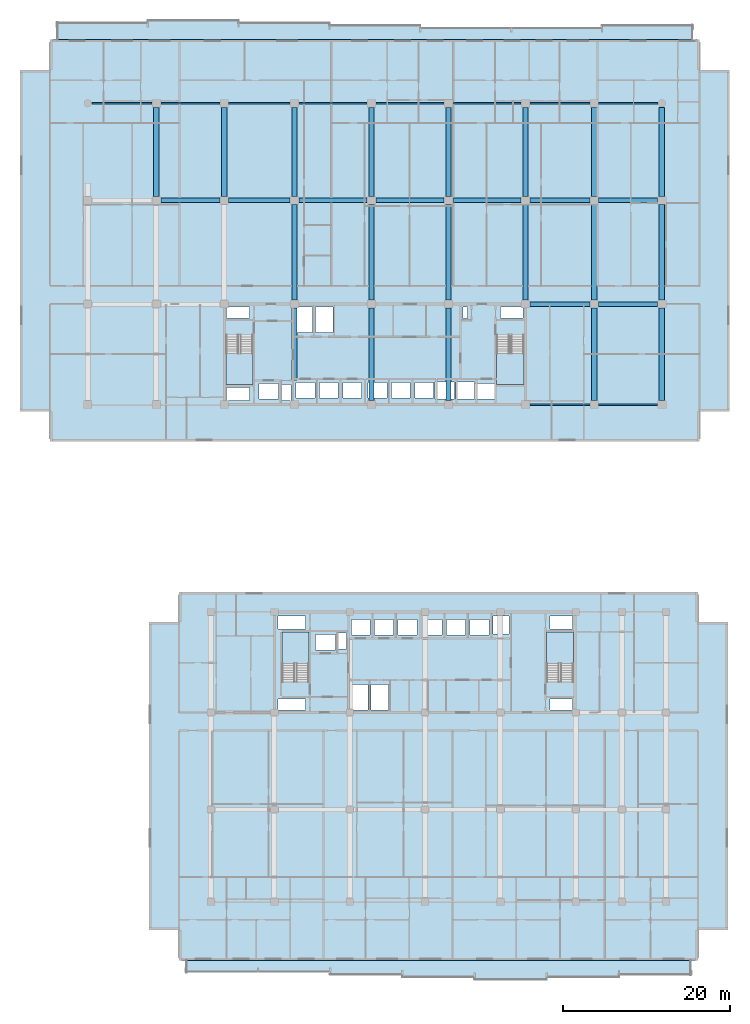
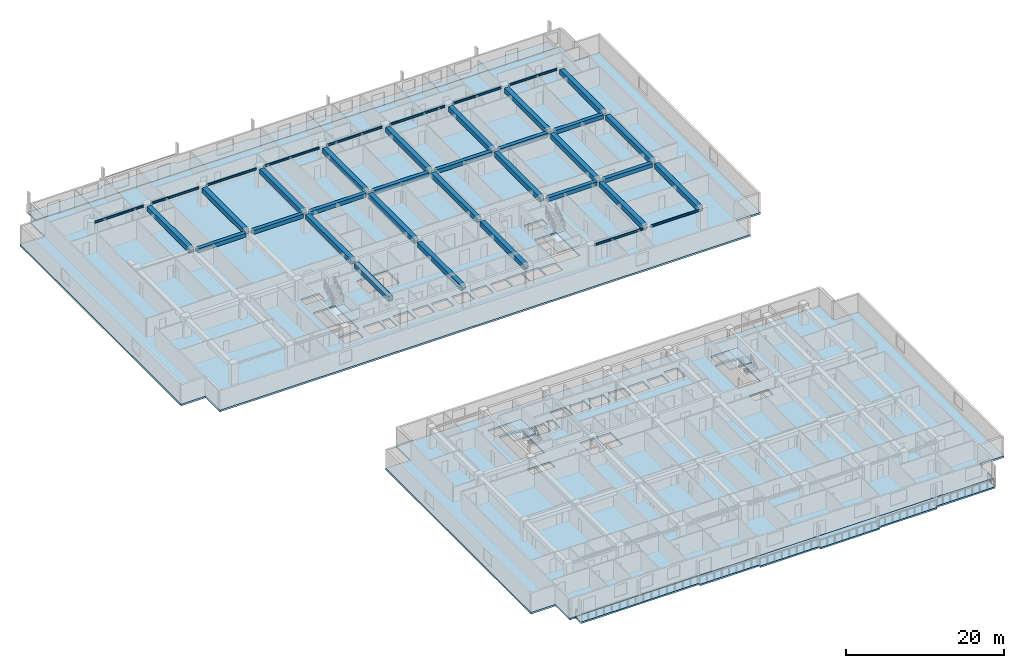
# One storey, part 2 of 23: 38 beams, 8 slabs, 4 elements without a shape of their own.
"""IFC4 building model written with IfcOpenShell, lengths in metres."""

import ifcopenshell
import ifcopenshell.guid

model = None  # the IFC model being written
_history = None  # IfcOwnerHistory: only IFC2X3 demands one
_inside = {}  # id of a spatial element -> (the spatial element, [elements in it])
_under = {}  # id of a project, library or spatial element -> (it, [spatial elements below it])
_declared = {}  # id of a project -> (the project, [libraries it declares])
_typed = {}  # id of a type object -> (the type object, [elements of that type])
_made_of = {}  # id of a material, layer set ... -> (it, [elements and type objects made of it])


def new_model(schema):
    """Start an empty IFC model of exactly this schema.

    Asked for "IFC4X3", IfcOpenShell would pick the latest addendum, in which some entities
    have other attributes; the version numbers below select the first issue.
    IFC2X3 requires an IfcOwnerHistory on every rooted entity: one is made here for all.
    """
    global model, _history
    if schema == "IFC4X3":
        model = ifcopenshell.file(schema_version=(4, 3, 0, 0))
    else:
        model = ifcopenshell.file(schema=schema)
    _inside.clear()
    _under.clear()
    _declared.clear()
    _typed.clear()
    _made_of.clear()
    _history = None
    if model.schema == "IFC2X3":
        org = make("IfcOrganization", Name="unknown")
        user = make(
            "IfcPersonAndOrganization",
            ThePerson=make("IfcPerson", FamilyName="unknown"),
            TheOrganization=org,
        )
        app = make(
            "IfcApplication",
            ApplicationDeveloper=org,
            Version="unknown",
            ApplicationFullName="unknown",
            ApplicationIdentifier="unknown",
        )
        _history = make(
            "IfcOwnerHistory",
            OwningUser=user,
            OwningApplication=app,
            ChangeAction="ADDED",
            CreationDate=0,
        )
    return model


def make(cls, **values):
    """One entity of the class cls with the attributes given. An attribute that is None is left unset."""
    return model.create_entity(
        cls, **{name: value for name, value in values.items() if value is not None}
    )


def rooted(cls, **values):
    """An entity with a GlobalId (a new one), such as an element, a storey or a relation."""
    return make(cls, GlobalId=ifcopenshell.guid.new(), OwnerHistory=_history, **values)


def si_unit(unit_type, name, prefix=None):
    """IfcSIUnit, for example si_unit("LENGTHUNIT", "METRE", prefix="MILLI")."""
    return make("IfcSIUnit", UnitType=unit_type, Prefix=prefix, Name=name)


def assignment(units):
    """IfcUnitAssignment: the units of a project."""
    return None if units is None else make("IfcUnitAssignment", Units=units)


def point(xyz):
    """IfcCartesianPoint."""
    return None if xyz is None else make("IfcCartesianPoint", Coordinates=xyz)


def direction(xyz):
    """IfcDirection."""
    return None if xyz is None else make("IfcDirection", DirectionRatios=xyz)


def frame(location, z_axis=None, x_axis=None):
    """IfcAxis2Placement3D, a coordinate frame: its origin and axes. An axis left out is left unset."""
    return make(
        "IfcAxis2Placement3D",
        Location=point(location),
        Axis=direction(z_axis),
        RefDirection=direction(x_axis),
    )


def frame_2d(location, x_axis=None):
    """IfcAxis2Placement2D, a coordinate frame in the plane: its origin and x axis."""
    return make(
        "IfcAxis2Placement2D", Location=point(location), RefDirection=direction(x_axis)
    )


def origin():
    """The frame at (0, 0, 0) with its axes left unset."""
    return frame((0.0, 0.0, 0.0))


def origin_2d():
    """The frame at (0, 0) in the plane with its x axis left unset."""
    return frame_2d((0.0, 0.0))


def place(relative_to, where):
    """IfcLocalPlacement: puts the frame where relative to a parent placement (None: the world)."""
    return make(
        "IfcLocalPlacement", PlacementRelTo=relative_to, RelativePlacement=where
    )


def context(
    kind, dimensions, precision=None, world=None, true_north=None, identifier=None
):
    """IfcGeometricRepresentationContext, for example the 3D "Model" context."""
    return make(
        "IfcGeometricRepresentationContext",
        ContextIdentifier=identifier,
        ContextType=kind,
        CoordinateSpaceDimension=dimensions,
        Precision=precision,
        WorldCoordinateSystem=world,
        TrueNorth=true_north,
    )


def subcontext(parent, identifier, kind, view, scale=None):
    """IfcGeometricRepresentationSubContext, for example "Body" below "Model"."""
    return make(
        "IfcGeometricRepresentationSubContext",
        ContextIdentifier=identifier,
        ContextType=kind,
        ParentContext=parent,
        TargetScale=scale,
        TargetView=view,
    )


def project(units=None, contexts=None):
    """IfcProject with its units and contexts."""
    return rooted(
        "IfcProject",
        Name="project",
        RepresentationContexts=contexts,
        UnitsInContext=assignment(units),
    )


def spatial(cls, under=None, at=None, **own):
    """A site, building, storey or space (cls), placed at a placement, below another one or the project."""
    s = rooted(cls, ObjectPlacement=at, **own)
    if under is not None:
        _under.setdefault(under.id(), (under, []))[1].append(s)
    return s


def polyline(points):
    """IfcPolyline through the points."""
    return make("IfcPolyline", Points=[point(p) for p in points])


def profile(cls, at=None, kind="AREA", **sizes):
    """A parametric profile (cls). Its sizes go by their IFC names, for example OverallWidth=200.0."""
    return make(cls, ProfileType=kind, Position=at, **sizes)


def rectangle(**sizes):
    """IfcRectangleProfileDef."""
    return profile("IfcRectangleProfileDef", **sizes)


def i_section(**sizes):
    """IfcIShapeProfileDef."""
    return profile("IfcIShapeProfileDef", **sizes)


def outline(outer, holes=None, kind="AREA"):
    """IfcArbitraryClosedProfileDef: a profile drawn as a closed curve; with holes, ...WithVoids."""
    if holes is None:
        return make("IfcArbitraryClosedProfileDef", ProfileType=kind, OuterCurve=outer)
    return make(
        "IfcArbitraryProfileDefWithVoids",
        ProfileType=kind,
        OuterCurve=outer,
        InnerCurves=holes,
    )


def extrude(swept, where, along, depth):
    """IfcExtrudedAreaSolid: the profile swept, set in the frame where, extruded along a direction by depth."""
    return make(
        "IfcExtrudedAreaSolid",
        SweptArea=swept,
        Position=where,
        ExtrudedDirection=direction(along),
        Depth=depth,
    )


def shape(context_of_items, identifier, shape_type, items):
    """IfcShapeRepresentation: the items that make up one representation, for example the "Body"."""
    return make(
        "IfcShapeRepresentation",
        ContextOfItems=context_of_items,
        RepresentationIdentifier=identifier,
        RepresentationType=shape_type,
        Items=items,
    )


def material(Name=None, Category=None):
    """IfcMaterial."""
    return make("IfcMaterial", Name=Name, Category=Category)


def layer(
    of_material, thickness, ventilated=None, Name=None, Category=None, Priority=None
):
    """IfcMaterialLayer: one layer of a wall or slab, of a material (None: an air gap)."""
    return make(
        "IfcMaterialLayer",
        Material=of_material,
        LayerThickness=thickness,
        IsVentilated=ventilated,
        Name=Name,
        Category=Category,
        Priority=Priority,
    )


def layer_set(layers, Name=None):
    """IfcMaterialLayerSet."""
    return make("IfcMaterialLayerSet", MaterialLayers=layers, LayerSetName=Name)


def material_profile(
    of_material, cross_section, Name=None, Category=None, Priority=None
):
    """IfcMaterialProfile: a cross section and its material."""
    return make(
        "IfcMaterialProfile",
        Name=Name,
        Material=of_material,
        Profile=cross_section,
        Priority=Priority,
        Category=Category,
    )


def profile_set(profiles, Name=None, composite=None):
    """IfcMaterialProfileSet."""
    return make(
        "IfcMaterialProfileSet",
        Name=Name,
        MaterialProfiles=profiles,
        CompositeProfile=composite,
    )


def made_of(thing, what):
    """Note that an element or type object is made of a material, layer set ...; save() writes the relation."""
    if what is not None:
        _made_of.setdefault(what.id(), (what, []))[1].append(thing)
    return thing


def type_object(cls, material=None, **own):
    """A type object (cls), such as IfcWallType, which elements share."""
    return made_of(rooted(cls, **own), material)


def element(
    cls,
    number,
    at=None,
    inside=None,
    cuts=None,
    type_object=None,
    material=None,
    context=None,
    identifier="Body",
    shape_type=None,
    held_by="IfcProductDefinitionShape",
    body=None,
    shapes=None,
    **own,
):
    """One element of the class cls, such as IfcWall. Its Tag is "e" and its number.

    at: its placement. inside: the storey or other place that contains it. cuts: it is an
    opening in that element (IfcRelVoidsElement). A single representation is given by context,
    identifier, shape_type and body (its items); several are given by shapes. held_by: the class
    of the entity that holds the representations. save() writes the other relations.
    """
    e = rooted(cls, Tag="e%d" % number, ObjectPlacement=at, **own)
    if body is not None:
        shapes = [shape(context, identifier, shape_type, body)]
    if shapes is not None:
        e.Representation = make(held_by, Representations=shapes)
    if inside is not None:
        _inside.setdefault(inside.id(), (inside, []))[1].append(e)
    if cuts is not None:
        rooted(
            "IfcRelVoidsElement", RelatingBuildingElement=cuts, RelatedOpeningElement=e
        )
    if type_object is not None:
        _typed.setdefault(type_object.id(), (type_object, []))[1].append(e)
    return made_of(e, material)


def aggregate(whole, parts):
    """IfcRelAggregates: a whole, such as a stair, and the parts it consists of."""
    return rooted("IfcRelAggregates", RelatingObject=whole, RelatedObjects=parts)


def save(model, path):
    """Write the relations noted so far, then the file.

    IfcRelAggregates (storeys below a building ...), IfcRelContainedInSpatialStructure (elements
    in a storey), IfcRelDefinesByType, IfcRelAssociatesMaterial and IfcRelDeclares: one each for
    every whole, place, type object, material and project.
    """
    for whole, parts in _under.values():
        aggregate(whole, parts)
    for where, things in _inside.values():
        rooted(
            "IfcRelContainedInSpatialStructure",
            RelatedElements=things,
            RelatingStructure=where,
        )
    for kind, things in _typed.values():
        rooted("IfcRelDefinesByType", RelatedObjects=things, RelatingType=kind)
    for what, things in _made_of.values():
        rooted("IfcRelAssociatesMaterial", RelatedObjects=things, RelatingMaterial=what)
    for by, libraries in _declared.values():
        rooted("IfcRelDeclares", RelatingContext=by, RelatedDefinitions=libraries)
    model.write(path)


model = new_model("IFC4")

# Units and contexts
model_context = context("Model", 3, precision=1e-05, world=origin(), true_north=direction((0.0, 1.0)))
body_context = subcontext(model_context, "Body", "Model", "MODEL_VIEW")
ifc_project = project(units=[si_unit("LENGTHUNIT", "METRE"), si_unit("AREAUNIT", "SQUARE_METRE"), si_unit("VOLUMEUNIT", "CUBIC_METRE"), si_unit("PLANEANGLEUNIT", "RADIAN"), si_unit("MASSUNIT", "GRAM", prefix="KILO")], contexts=[model_context])

# Site, building, storey
site_placement = place(None, origin())
site = spatial("IfcSite", under=ifc_project, at=site_placement, CompositionType="ELEMENT")
building_placement = place(site_placement, origin())
building = spatial("IfcBuilding", under=site, at=building_placement, Name="Korimba Cascade Residences", CompositionType="ELEMENT")
storey_placement = place(building_placement, frame((0.0, 0.0, 46.75)))
storey = spatial("IfcBuildingStorey", under=building, at=storey_placement, Name="L12", CompositionType="ELEMENT", Elevation=46.75)

# Beams
ifc_material_1 = material(Name="Concrete C50/60", Category="concrete")
ifc_material_profile_1 = material_profile(ifc_material_1, rectangle(XDim=0.550048828125, YDim=0.60009765625, at=origin_2d()), Name="Concrete C50/60")
ifc_profile_set_1 = profile_set([ifc_material_profile_1], Name="Concrete C50/60")
beam_type_1 = type_object("IfcBeamType", Name="BM-RC-B600", PredefinedType="BEAM", material=ifc_profile_set_1)
beam_1_placement = place(storey_placement, frame((112.625, 67.199951171875, 2.669921875), z_axis=(1.0, 0.0, 0.0), x_axis=(0.0, 1.0, 0.0)))
element("IfcBeam", 1, at=beam_1_placement, inside=storey, type_object=beam_type_1, Name="L12 T1 E-W Girder Y2 Bay 7", PredefinedType="BEAM", context=body_context, shape_type="SweptSolid", body=[
    extrude(rectangle(XDim=0.550048828125, YDim=0.60009765625, at=origin_2d()), origin(), (0.0, 0.0, 1.0), 7.14990234375),
])
for number, where, z_axis, x_axis, name in (
    (2, (120.824951171875, 67.199951171875, 2.669921875), (1.0, 0.0, 0.0), (0.0, 1.0, 0.0), "L12 T1 E-W Girder Y2 Bay 8"),
    (3, (68.52490234375, 79.60009765625, 2.669921875), (1.0, 0.0, 0.0), (0.0, 1.0, 0.0), "L12 T1 E-W Girder Y3 Bay 2"),
):
    element("IfcBeam", number, at=place(storey_placement, frame(where, z_axis=z_axis, x_axis=x_axis)), inside=storey, type_object=beam_type_1, Name=name, PredefinedType="BEAM", context=body_context, shape_type="SweptSolid", body=[
        extrude(rectangle(XDim=0.550048828125, YDim=0.60009765625, at=origin_2d()), origin(), (0.0, 0.0, 1.0), 7.050048828125),
    ])
beam_2_placement = place(storey_placement, frame((76.625, 79.60009765625, 2.669921875), z_axis=(1.0, 0.0, 0.0), x_axis=(0.0, 1.0, 0.0)))
element("IfcBeam", 4, at=beam_2_placement, inside=storey, type_object=beam_type_1, Name="L12 T1 E-W Girder Y3 Bay 3", PredefinedType="BEAM", context=body_context, shape_type="SweptSolid", body=[
    extrude(rectangle(XDim=0.550048828125, YDim=0.60009765625, at=origin_2d()), origin(), (0.0, 0.0, 1.0), 7.35009765625),
])
beam_3_placement = place(storey_placement, frame((85.02490234375, 79.60009765625, 2.669921875), z_axis=(1.0, 0.0, 0.0), x_axis=(0.0, 1.0, 0.0)))
element("IfcBeam", 5, at=beam_3_placement, inside=storey, type_object=beam_type_1, Name="L12 T1 E-W Girder Y3 Bay 4", PredefinedType="BEAM", context=body_context, shape_type="SweptSolid", body=[
    extrude(rectangle(XDim=0.550048828125, YDim=0.60009765625, at=origin_2d()), origin(), (0.0, 0.0, 1.0), 8.150146484375),
])
for number, where, z_axis, x_axis, name in (
    (6, (94.22509765625, 79.60009765625, 2.669921875), (1.0, 0.0, 0.0), (0.0, 1.0, 0.0), "L12 T1 E-W Girder Y3 Bay 5"),
    (7, (103.425048828125, 79.60009765625, 2.669921875), (1.0, 0.0, 0.0), (0.0, 1.0, 0.0), "L12 T1 E-W Girder Y3 Bay 6"),
):
    element("IfcBeam", number, at=place(storey_placement, frame(where, z_axis=z_axis, x_axis=x_axis)), inside=storey, type_object=beam_type_1, Name=name, PredefinedType="BEAM", context=body_context, shape_type="SweptSolid", body=[
        extrude(rectangle(XDim=0.550048828125, YDim=0.60009765625, at=origin_2d()), origin(), (0.0, 0.0, 1.0), 8.14990234375),
    ])
beam_4_placement = place(storey_placement, frame((112.625, 79.60009765625, 2.669921875), z_axis=(1.0, 0.0, 0.0), x_axis=(0.0, 1.0, 0.0)))
element("IfcBeam", 8, at=beam_4_placement, inside=storey, type_object=beam_type_1, Name="L12 T1 E-W Girder Y3 Bay 7", PredefinedType="BEAM", context=body_context, shape_type="SweptSolid", body=[
    extrude(rectangle(XDim=0.550048828125, YDim=0.60009765625, at=origin_2d()), origin(), (0.0, 0.0, 1.0), 7.14990234375),
])
beam_5_placement = place(storey_placement, frame((120.824951171875, 79.60009765625, 2.669921875), z_axis=(1.0, 0.0, 0.0), x_axis=(0.0, 1.0, 0.0)))
element("IfcBeam", 9, at=beam_5_placement, inside=storey, type_object=beam_type_1, Name="L12 T1 E-W Girder Y3 Bay 8", PredefinedType="BEAM", context=body_context, shape_type="SweptSolid", body=[
    extrude(rectangle(XDim=0.550048828125, YDim=0.60009765625, at=origin_2d()), origin(), (0.0, 0.0, 1.0), 7.050048828125),
])
ifc_material_profile_2 = material_profile(ifc_material_1, rectangle(XDim=0.64990234375, YDim=0.75, at=origin_2d()), Name="Concrete C50/60")
ifc_profile_set_2 = profile_set([ifc_material_profile_2], Name="Concrete C50/60")
beam_type_2 = type_object("IfcBeamType", Name="BM-RC-G750", PredefinedType="BEAM", material=ifc_profile_set_2)
for number, where, z_axis, x_axis, name in (
    (10, (68.0, 80.074951171875, 2.594970703125), (0.0, 1.0, 0.0), (-1.0, 0.0, 0.0), "L12 T1 N-S Girder X2 Seg 3"),
    (11, (76.10009765625, 80.074951171875, 2.594970703125), (0.0, 1.0, 0.0), (-1.0, 0.0, 0.0), "L12 T1 N-S Girder X3 Seg 3"),
):
    element("IfcBeam", number, at=place(storey_placement, frame(where, z_axis=z_axis, x_axis=x_axis)), inside=storey, type_object=beam_type_2, Name=name, PredefinedType="BEAM", context=body_context, shape_type="SweptSolid", body=[
        extrude(rectangle(XDim=0.64990234375, YDim=0.75, at=origin_2d()), origin(), (0.0, 0.0, 1.0), 10.650146484375),
    ])
beam_6_placement = place(storey_placement, frame((84.5, 58.159912109375, 2.594970703125), z_axis=(0.0, 1.0, 0.0), x_axis=(-1.0, 0.0, 0.0)))
element("IfcBeam", 12, at=beam_6_placement, inside=storey, type_object=beam_type_2, Name="L12 T1 N-S Girder X4 Seg 1", PredefinedType="BEAM", context=body_context, shape_type="SweptSolid", body=[
    extrude(rectangle(XDim=0.64990234375, YDim=0.75, at=origin_2d()), origin(), (0.0, 0.0, 1.0), 8.565185546875),
])
beam_7_placement = place(storey_placement, frame((84.5, 67.675048828125, 2.594970703125), z_axis=(0.0, 1.0, 0.0), x_axis=(-1.0, 0.0, 0.0)))
element("IfcBeam", 13, at=beam_7_placement, inside=storey, type_object=beam_type_2, Name="L12 T1 N-S Girder X4 Seg 2", PredefinedType="BEAM", context=body_context, shape_type="SweptSolid", body=[
    extrude(rectangle(XDim=0.64990234375, YDim=0.75, at=origin_2d()), origin(), (0.0, 0.0, 1.0), 11.449951171875),
])
beam_8_placement = place(storey_placement, frame((84.5, 80.074951171875, 2.594970703125), z_axis=(0.0, 1.0, 0.0), x_axis=(-1.0, 0.0, 0.0)))
element("IfcBeam", 14, at=beam_8_placement, inside=storey, type_object=beam_type_2, Name="L12 T1 N-S Girder X4 Seg 3", PredefinedType="BEAM", context=body_context, shape_type="SweptSolid", body=[
    extrude(rectangle(XDim=0.64990234375, YDim=0.75, at=origin_2d()), origin(), (0.0, 0.0, 1.0), 10.650146484375),
])
beam_9_placement = place(storey_placement, frame((93.699951171875, 55.675048828125, 2.594970703125), z_axis=(0.0, 1.0, 0.0), x_axis=(-1.0, 0.0, 0.0)))
element("IfcBeam", 15, at=beam_9_placement, inside=storey, type_object=beam_type_2, Name="L12 T1 N-S Girder X5 Seg 1", PredefinedType="BEAM", context=body_context, shape_type="SweptSolid", body=[
    extrude(rectangle(XDim=0.64990234375, YDim=0.75, at=origin_2d()), origin(), (0.0, 0.0, 1.0), 11.050048828125),
])
beam_10_placement = place(storey_placement, frame((93.699951171875, 67.675048828125, 2.594970703125), z_axis=(0.0, 1.0, 0.0), x_axis=(-1.0, 0.0, 0.0)))
element("IfcBeam", 16, at=beam_10_placement, inside=storey, type_object=beam_type_2, Name="L12 T1 N-S Girder X5 Seg 2", PredefinedType="BEAM", context=body_context, shape_type="SweptSolid", body=[
    extrude(rectangle(XDim=0.64990234375, YDim=0.75, at=origin_2d()), origin(), (0.0, 0.0, 1.0), 11.449951171875),
])
beam_11_placement = place(storey_placement, frame((93.699951171875, 80.074951171875, 2.594970703125), z_axis=(0.0, 1.0, 0.0), x_axis=(-1.0, 0.0, 0.0)))
element("IfcBeam", 17, at=beam_11_placement, inside=storey, type_object=beam_type_2, Name="L12 T1 N-S Girder X5 Seg 3", PredefinedType="BEAM", context=body_context, shape_type="SweptSolid", body=[
    extrude(rectangle(XDim=0.64990234375, YDim=0.75, at=origin_2d()), origin(), (0.0, 0.0, 1.0), 10.650146484375),
])
beam_12_placement = place(storey_placement, frame((102.89990234375, 55.675048828125, 2.594970703125), z_axis=(0.0, 1.0, 0.0), x_axis=(-1.0, 0.0, 0.0)))
element("IfcBeam", 18, at=beam_12_placement, inside=storey, type_object=beam_type_2, Name="L12 T1 N-S Girder X6 Seg 1", PredefinedType="BEAM", context=body_context, shape_type="SweptSolid", body=[
    extrude(rectangle(XDim=0.64990234375, YDim=0.75, at=origin_2d()), origin(), (0.0, 0.0, 1.0), 11.050048828125),
])
beam_13_placement = place(storey_placement, frame((102.89990234375, 67.675048828125, 2.594970703125), z_axis=(0.0, 1.0, 0.0), x_axis=(-1.0, 0.0, 0.0)))
element("IfcBeam", 19, at=beam_13_placement, inside=storey, type_object=beam_type_2, Name="L12 T1 N-S Girder X6 Seg 2", PredefinedType="BEAM", context=body_context, shape_type="SweptSolid", body=[
    extrude(rectangle(XDim=0.64990234375, YDim=0.75, at=origin_2d()), origin(), (0.0, 0.0, 1.0), 11.449951171875),
])
beam_14_placement = place(storey_placement, frame((102.89990234375, 80.074951171875, 2.594970703125), z_axis=(0.0, 1.0, 0.0), x_axis=(-1.0, 0.0, 0.0)))
element("IfcBeam", 20, at=beam_14_placement, inside=storey, type_object=beam_type_2, Name="L12 T1 N-S Girder X6 Seg 3", PredefinedType="BEAM", context=body_context, shape_type="SweptSolid", body=[
    extrude(rectangle(XDim=0.64990234375, YDim=0.75, at=origin_2d()), origin(), (0.0, 0.0, 1.0), 10.650146484375),
])
beam_15_placement = place(storey_placement, frame((112.10009765625, 67.675048828125, 2.594970703125), z_axis=(0.0, 1.0, 0.0), x_axis=(-1.0, 0.0, 0.0)))
element("IfcBeam", 21, at=beam_15_placement, inside=storey, type_object=beam_type_2, Name="L12 T1 N-S Girder X7 Seg 2", PredefinedType="BEAM", context=body_context, shape_type="SweptSolid", body=[
    extrude(rectangle(XDim=0.64990234375, YDim=0.75, at=origin_2d()), origin(), (0.0, 0.0, 1.0), 11.449951171875),
])
beam_16_placement = place(storey_placement, frame((112.10009765625, 80.074951171875, 2.594970703125), z_axis=(0.0, 1.0, 0.0), x_axis=(-1.0, 0.0, 0.0)))
element("IfcBeam", 22, at=beam_16_placement, inside=storey, type_object=beam_type_2, Name="L12 T1 N-S Girder X7 Seg 3", PredefinedType="BEAM", context=body_context, shape_type="SweptSolid", body=[
    extrude(rectangle(XDim=0.64990234375, YDim=0.75, at=origin_2d()), origin(), (0.0, 0.0, 1.0), 10.650146484375),
])
beam_17_placement = place(storey_placement, frame((120.300048828125, 55.675048828125, 2.594970703125), z_axis=(0.0, 1.0, 0.0), x_axis=(-1.0, 0.0, 0.0)))
element("IfcBeam", 23, at=beam_17_placement, inside=storey, type_object=beam_type_2, Name="L12 T1 N-S Girder X8 Seg 1", PredefinedType="BEAM", context=body_context, shape_type="SweptSolid", body=[
    extrude(rectangle(XDim=0.64990234375, YDim=0.75, at=origin_2d()), origin(), (0.0, 0.0, 1.0), 11.050048828125),
])
beam_18_placement = place(storey_placement, frame((120.300048828125, 67.675048828125, 2.594970703125), z_axis=(0.0, 1.0, 0.0), x_axis=(-1.0, 0.0, 0.0)))
element("IfcBeam", 24, at=beam_18_placement, inside=storey, type_object=beam_type_2, Name="L12 T1 N-S Girder X8 Seg 2", PredefinedType="BEAM", context=body_context, shape_type="SweptSolid", body=[
    extrude(rectangle(XDim=0.64990234375, YDim=0.75, at=origin_2d()), origin(), (0.0, 0.0, 1.0), 11.449951171875),
])
beam_19_placement = place(storey_placement, frame((120.300048828125, 80.074951171875, 2.594970703125), z_axis=(0.0, 1.0, 0.0), x_axis=(-1.0, 0.0, 0.0)))
element("IfcBeam", 25, at=beam_19_placement, inside=storey, type_object=beam_type_2, Name="L12 T1 N-S Girder X8 Seg 3", PredefinedType="BEAM", context=body_context, shape_type="SweptSolid", body=[
    extrude(rectangle(XDim=0.64990234375, YDim=0.75, at=origin_2d()), origin(), (0.0, 0.0, 1.0), 10.650146484375),
])
beam_20_placement = place(storey_placement, frame((128.39990234375, 55.675048828125, 2.594970703125), z_axis=(0.0, 1.0, 0.0), x_axis=(-1.0, 0.0, 0.0)))
element("IfcBeam", 26, at=beam_20_placement, inside=storey, type_object=beam_type_2, Name="L12 T1 N-S Girder X9 Seg 1", PredefinedType="BEAM", context=body_context, shape_type="SweptSolid", body=[
    extrude(rectangle(XDim=0.64990234375, YDim=0.75, at=origin_2d()), origin(), (0.0, 0.0, 1.0), 11.050048828125),
])
beam_21_placement = place(storey_placement, frame((128.39990234375, 67.675048828125, 2.594970703125), z_axis=(0.0, 1.0, 0.0), x_axis=(-1.0, 0.0, 0.0)))
element("IfcBeam", 27, at=beam_21_placement, inside=storey, type_object=beam_type_2, Name="L12 T1 N-S Girder X9 Seg 2", PredefinedType="BEAM", context=body_context, shape_type="SweptSolid", body=[
    extrude(rectangle(XDim=0.64990234375, YDim=0.75, at=origin_2d()), origin(), (0.0, 0.0, 1.0), 11.449951171875),
])
beam_22_placement = place(storey_placement, frame((128.39990234375, 80.074951171875, 2.594970703125), z_axis=(0.0, 1.0, 0.0), x_axis=(-1.0, 0.0, 0.0)))
element("IfcBeam", 28, at=beam_22_placement, inside=storey, type_object=beam_type_2, Name="L12 T1 N-S Girder X9 Seg 3", PredefinedType="BEAM", context=body_context, shape_type="SweptSolid", body=[
    extrude(rectangle(XDim=0.64990234375, YDim=0.75, at=origin_2d()), origin(), (0.0, 0.0, 1.0), 10.650146484375),
])
ifc_material_2 = material(Name="Steel S355", Category="steel")
ifc_material_profile_3 = material_profile(ifc_material_2, i_section(OverallWidth=0.165771484375, OverallDepth=0.306640625, WebThickness=0.006591796875, FlangeThickness=0.01171875, FilletRadius=0.0087890625, at=origin_2d()), Name="Steel S355")
ifc_profile_set_3 = profile_set([ifc_material_profile_3], Name="Steel S355")
beam_type_3 = type_object("IfcBeamType", Name="BM-STL-UB305", PredefinedType="SPANDREL", material=ifc_profile_set_3)
beam_23_placement = place(storey_placement, frame((112.625, 55.199951171875, 2.816650390625), z_axis=(1.0, 0.0, 0.0), x_axis=(0.0, 1.0, 0.0)))
element("IfcBeam", 29, at=beam_23_placement, inside=storey, type_object=beam_type_3, Name="L12 T1 E-W Girder Y1 Bay 7", PredefinedType="SPANDREL", context=body_context, shape_type="SweptSolid", body=[
    extrude(i_section(OverallWidth=0.165771484375, OverallDepth=0.306640625, WebThickness=0.006591796875, FlangeThickness=0.01171875, FilletRadius=0.0087890625, at=origin_2d()), origin(), (0.0, 0.0, 1.0), 7.14990234375),
])
beam_24_placement = place(storey_placement, frame((120.824951171875, 55.199951171875, 2.816650390625), z_axis=(1.0, 0.0, 0.0), x_axis=(0.0, 1.0, 0.0)))
element("IfcBeam", 30, at=beam_24_placement, inside=storey, type_object=beam_type_3, Name="L12 T1 E-W Girder Y1 Bay 8", PredefinedType="SPANDREL", context=body_context, shape_type="SweptSolid", body=[
    extrude(i_section(OverallWidth=0.165771484375, OverallDepth=0.306640625, WebThickness=0.006591796875, FlangeThickness=0.01171875, FilletRadius=0.0087890625, at=origin_2d()), origin(), (0.0, 0.0, 1.0), 7.050048828125),
])
beam_25_placement = place(storey_placement, frame((60.27490234375, 91.199951171875, 2.816650390625), z_axis=(1.0, 0.0, 0.0), x_axis=(0.0, 1.0, 0.0)))
element("IfcBeam", 31, at=beam_25_placement, inside=storey, type_object=beam_type_3, Name="L12 T1 E-W Girder Y4 Bay 1", PredefinedType="SPANDREL", context=body_context, shape_type="SweptSolid", body=[
    extrude(i_section(OverallWidth=0.165771484375, OverallDepth=0.306640625, WebThickness=0.006591796875, FlangeThickness=0.01171875, FilletRadius=0.0087890625, at=origin_2d()), origin(), (0.0, 0.0, 1.0), 7.2001953125),
])
beam_26_placement = place(storey_placement, frame((68.52490234375, 91.199951171875, 2.816650390625), z_axis=(1.0, 0.0, 0.0), x_axis=(0.0, 1.0, 0.0)))
element("IfcBeam", 32, at=beam_26_placement, inside=storey, type_object=beam_type_3, Name="L12 T1 E-W Girder Y4 Bay 2", PredefinedType="SPANDREL", context=body_context, shape_type="SweptSolid", body=[
    extrude(i_section(OverallWidth=0.165771484375, OverallDepth=0.306640625, WebThickness=0.006591796875, FlangeThickness=0.01171875, FilletRadius=0.0087890625, at=origin_2d()), origin(), (0.0, 0.0, 1.0), 7.050048828125),
])
beam_27_placement = place(storey_placement, frame((76.625, 91.199951171875, 2.816650390625), z_axis=(1.0, 0.0, 0.0), x_axis=(0.0, 1.0, 0.0)))
element("IfcBeam", 33, at=beam_27_placement, inside=storey, type_object=beam_type_3, Name="L12 T1 E-W Girder Y4 Bay 3", PredefinedType="SPANDREL", context=body_context, shape_type="SweptSolid", body=[
    extrude(i_section(OverallWidth=0.165771484375, OverallDepth=0.306640625, WebThickness=0.006591796875, FlangeThickness=0.01171875, FilletRadius=0.0087890625, at=origin_2d()), origin(), (0.0, 0.0, 1.0), 7.35009765625),
])
beam_28_placement = place(storey_placement, frame((85.02490234375, 91.199951171875, 2.816650390625), z_axis=(1.0, 0.0, 0.0), x_axis=(0.0, 1.0, 0.0)))
element("IfcBeam", 34, at=beam_28_placement, inside=storey, type_object=beam_type_3, Name="L12 T1 E-W Girder Y4 Bay 4", PredefinedType="SPANDREL", context=body_context, shape_type="SweptSolid", body=[
    extrude(i_section(OverallWidth=0.165771484375, OverallDepth=0.306640625, WebThickness=0.006591796875, FlangeThickness=0.01171875, FilletRadius=0.0087890625, at=origin_2d()), origin(), (0.0, 0.0, 1.0), 8.150146484375),
])
for number, where, z_axis, x_axis, name in (
    (35, (94.22509765625, 91.199951171875, 2.816650390625), (1.0, 0.0, 0.0), (0.0, 1.0, 0.0), "L12 T1 E-W Girder Y4 Bay 5"),
    (36, (103.425048828125, 91.199951171875, 2.816650390625), (1.0, 0.0, 0.0), (0.0, 1.0, 0.0), "L12 T1 E-W Girder Y4 Bay 6"),
):
    element("IfcBeam", number, at=place(storey_placement, frame(where, z_axis=z_axis, x_axis=x_axis)), inside=storey, type_object=beam_type_3, Name=name, PredefinedType="SPANDREL", context=body_context, shape_type="SweptSolid", body=[
        extrude(i_section(OverallWidth=0.165771484375, OverallDepth=0.306640625, WebThickness=0.006591796875, FlangeThickness=0.01171875, FilletRadius=0.0087890625, at=origin_2d()), origin(), (0.0, 0.0, 1.0), 8.14990234375),
    ])
beam_29_placement = place(storey_placement, frame((112.625, 91.199951171875, 2.816650390625), z_axis=(1.0, 0.0, 0.0), x_axis=(0.0, 1.0, 0.0)))
element("IfcBeam", 37, at=beam_29_placement, inside=storey, type_object=beam_type_3, Name="L12 T1 E-W Girder Y4 Bay 7", PredefinedType="SPANDREL", context=body_context, shape_type="SweptSolid", body=[
    extrude(i_section(OverallWidth=0.165771484375, OverallDepth=0.306640625, WebThickness=0.006591796875, FlangeThickness=0.01171875, FilletRadius=0.0087890625, at=origin_2d()), origin(), (0.0, 0.0, 1.0), 7.14990234375),
])
beam_30_placement = place(storey_placement, frame((120.824951171875, 91.199951171875, 2.816650390625), z_axis=(1.0, 0.0, 0.0), x_axis=(0.0, 1.0, 0.0)))
element("IfcBeam", 38, at=beam_30_placement, inside=storey, type_object=beam_type_3, Name="L12 T1 E-W Girder Y4 Bay 8", PredefinedType="SPANDREL", context=body_context, shape_type="SweptSolid", body=[
    extrude(i_section(OverallWidth=0.165771484375, OverallDepth=0.306640625, WebThickness=0.006591796875, FlangeThickness=0.01171875, FilletRadius=0.0087890625, at=origin_2d()), origin(), (0.0, 0.0, 1.0), 7.10009765625),
])

# Stair, slab
stair_type_1 = type_object("IfcStairType", Name="STR-W1-18R-1806", PredefinedType="HALF_TURN_STAIR", material=ifc_material_1)
stair_1_placement = place(storey_placement, origin())
stair_1 = element("IfcStair", 39, at=stair_1_placement, inside=storey, type_object=stair_type_1, Name="L12 Tower 1 West Fire Stair ST-W1", PredefinedType="HALF_TURN_STAIR")
ifc_layer_1 = layer(ifc_material_1, 0.199951171875)
ifc_layer_set_1 = layer_set([ifc_layer_1], Name="Concrete C50/60")
slab_type_1 = type_object("IfcSlabType", Name="SLB-LND-220", PredefinedType="LANDING", material=ifc_layer_set_1)
slab_1_placement = place(storey_placement, frame((0.0, 0.0, 1.425048828125)))
slab_1 = element("IfcSlab", 40, at=slab_1_placement, type_object=slab_type_1, Name="ST-W1 landing 1", PredefinedType="LANDING", context=body_context, shape_type="SweptSolid", body=[
    extrude(outline(polyline([(76.300048828125, 61.31005859375), (76.300048828125, 57.60009765625), (79.5400390625, 57.60009765625), (79.5400390625, 61.31005859375), (76.300048828125, 61.31005859375)])), origin(), (0.0, 0.0, 1.0), 0.199951171875),
])
aggregate(stair_1, [slab_1])

stair_type_2 = type_object("IfcStairType", Name="STR-W2-18R-1806", PredefinedType="HALF_TURN_STAIR", material=ifc_material_1)
stair_2_placement = place(storey_placement, origin())
stair_2 = element("IfcStair", 41, at=stair_2_placement, inside=storey, type_object=stair_type_2, Name="L12 Tower 1 East Fire Stair ST-W2", PredefinedType="HALF_TURN_STAIR")
slab_2_placement = place(storey_placement, frame((0.0, 0.0, 1.425048828125)))
slab_2 = element("IfcSlab", 42, at=slab_2_placement, type_object=slab_type_1, Name="ST-W2 landing 1", PredefinedType="LANDING", context=body_context, shape_type="SweptSolid", body=[
    extrude(outline(polyline([(108.659912109375, 61.31005859375), (108.659912109375, 57.60009765625), (111.89990234375, 57.60009765625), (111.89990234375, 61.31005859375), (108.659912109375, 61.31005859375)])), origin(), (0.0, 0.0, 1.0), 0.199951171875),
])
aggregate(stair_2, [slab_2])

stair_type_3 = type_object("IfcStairType", Name="STR-E1-18R-1806", PredefinedType="HALF_TURN_STAIR", material=ifc_material_1)
stair_3_placement = place(storey_placement, origin())
stair_3 = element("IfcStair", 43, at=stair_3_placement, inside=storey, type_object=stair_type_3, Name="L12 Tower 2 West Fire Stair ST-E1", PredefinedType="HALF_TURN_STAIR")
slab_3_placement = place(storey_placement, frame((0.0, 0.0, 1.425048828125)))
slab_3 = element("IfcSlab", 44, at=slab_3_placement, type_object=slab_type_1, Name="ST-E1 landing 1", PredefinedType="LANDING", context=body_context, shape_type="SweptSolid", body=[
    extrude(outline(polyline([(86.239990234375, 24.2900390625), (86.239990234375, 28.0), (83.0, 28.0), (83.0, 24.2900390625), (86.239990234375, 24.2900390625)])), origin(), (0.0, 0.0, 1.0), 0.199951171875),
])
aggregate(stair_3, [slab_3])

stair_type_4 = type_object("IfcStairType", Name="STR-E2-18R-1806", PredefinedType="HALF_TURN_STAIR", material=ifc_material_1)
stair_4_placement = place(storey_placement, origin())
stair_4 = element("IfcStair", 45, at=stair_4_placement, inside=storey, type_object=stair_type_4, Name="L12 Tower 2 East Fire Stair ST-E2", PredefinedType="HALF_TURN_STAIR")
slab_4_placement = place(storey_placement, frame((0.0, 0.0, 1.425048828125)))
slab_4 = element("IfcSlab", 46, at=slab_4_placement, type_object=slab_type_1, Name="ST-E2 landing 1", PredefinedType="LANDING", context=body_context, shape_type="SweptSolid", body=[
    extrude(outline(polyline([(117.840087890625, 24.2900390625), (117.840087890625, 28.0), (114.60009765625, 28.0), (114.60009765625, 24.2900390625), (117.840087890625, 24.2900390625)])), origin(), (0.0, 0.0, 1.0), 0.199951171875),
])
aggregate(stair_4, [slab_4])

# Slabs
ifc_material_3 = material(Name="Precast concrete C40/50", Category="concrete")
ifc_layer_2 = layer(ifc_material_3, 0.239990234375)
ifc_layer_set_2 = layer_set([ifc_layer_2], Name="Precast concrete C40/50")
slab_type_2 = type_object("IfcSlabType", Name="SLB-LOG-240", PredefinedType="FLOOR", material=ifc_layer_set_2)
slab_5_placement = place(storey_placement, frame((0.0, 0.0, -0.239990234375)))
element("IfcSlab", 47, at=slab_5_placement, inside=storey, type_object=slab_type_2, Name="L12 Tower 1 North Loggia Slab", PredefinedType="FLOOR", context=body_context, shape_type="SweptSolid", body=[
    extrude(outline(polyline([(56.10009765625, 98.800048828125), (132.10009765625, 98.800048828125), (132.10009765625, 100.550048828125), (121.242919921875, 100.550048828125), (121.242919921875, 100.25), (99.528564453125, 100.25), (99.528564453125, 100.550048828125), (88.67138671875, 100.550048828125), (88.67138671875, 100.85009765625), (77.814208984375, 100.85009765625), (77.814208984375, 101.14990234375), (66.95703125, 101.14990234375), (66.95703125, 100.85009765625), (56.10009765625, 100.85009765625), (56.10009765625, 98.800048828125)])), origin(), (0.0, 0.0, 1.0), 0.239990234375),
])
slab_6_placement = place(storey_placement, frame((0.0, 0.0, -0.239990234375)))
element("IfcSlab", 48, at=slab_6_placement, inside=storey, type_object=slab_type_2, Name="L12 Tower 2 South Loggia Slab", PredefinedType="FLOOR", context=body_context, shape_type="SweptSolid", body=[
    extrude(outline(polyline([(71.5, -12.64990234375), (88.757080078125, -12.64990234375), (88.757080078125, -12.949951171875), (97.3857421875, -12.949951171875), (97.3857421875, -13.25), (106.014404296875, -13.25), (106.014404296875, -13.550048828125), (114.642822265625, -13.550048828125), (114.642822265625, -13.25), (123.271484375, -13.25), (123.271484375, -12.949951171875), (131.89990234375, -12.949951171875), (131.89990234375, -11.199951171875), (71.5, -11.199951171875), (71.5, -12.64990234375)])), origin(), (0.0, 0.0, 1.0), 0.239990234375),
])
ifc_layer_3 = layer(ifc_material_1, 0.280029296875)
ifc_layer_set_3 = layer_set([ifc_layer_3], Name="Concrete C50/60")
slab_type_3 = type_object("IfcSlabType", Name="SLB-TYP-280", PredefinedType="FLOOR", material=ifc_layer_set_3)
slab_7_placement = place(storey_placement, frame((0.0, 0.0, -0.280029296875)))
element("IfcSlab", 49, at=slab_7_placement, inside=storey, type_object=slab_type_3, Name="L12 Tower 1 Floor Slab", PredefinedType="FLOOR", context=body_context, shape_type="SweptSolid", body=[
    extrude(outline(polyline([(55.300048828125, 50.800048828125), (132.89990234375, 50.800048828125), (132.89990234375, 54.39990234375), (136.5, 54.39990234375), (136.5, 95.199951171875), (132.89990234375, 95.199951171875), (132.89990234375, 98.800048828125), (55.300048828125, 98.800048828125), (55.300048828125, 95.199951171875), (51.699951171875, 95.199951171875), (51.699951171875, 54.39990234375), (55.300048828125, 54.39990234375), (55.300048828125, 50.800048828125)]), holes=[polyline([(76.300048828125, 63.514892578125), (76.300048828125, 57.60009765625), (79.5400390625, 57.60009765625), (79.5400390625, 63.514892578125), (76.300048828125, 63.514892578125)]), polyline([(108.659912109375, 63.514892578125), (108.659912109375, 57.60009765625), (111.89990234375, 57.60009765625), (111.89990234375, 63.514892578125), (108.659912109375, 63.514892578125)]), polyline([(80.22998046875, 55.8798828125), (82.570068359375, 55.8798828125), (82.570068359375, 57.719970703125), (80.22998046875, 57.719970703125), (80.22998046875, 55.8798828125)]), polyline([(106.080078125, 55.8798828125), (108.419921875, 55.8798828125), (108.419921875, 57.719970703125), (106.080078125, 57.719970703125), (106.080078125, 55.8798828125)]), polyline([(84.679931640625, 55.97998046875), (86.919921875, 55.97998046875), (86.919921875, 57.820068359375), (84.679931640625, 57.820068359375), (84.679931640625, 55.97998046875)]), polyline([(87.47998046875, 55.97998046875), (89.719970703125, 55.97998046875), (89.719970703125, 57.820068359375), (87.47998046875, 57.820068359375), (87.47998046875, 55.97998046875)]), polyline([(90.280029296875, 55.97998046875), (92.52001953125, 55.97998046875), (92.52001953125, 57.820068359375), (90.280029296875, 57.820068359375), (90.280029296875, 55.97998046875)]), polyline([(93.280029296875, 55.97998046875), (95.52001953125, 55.97998046875), (95.52001953125, 57.820068359375), (93.280029296875, 57.820068359375), (93.280029296875, 55.97998046875)]), polyline([(96.080078125, 55.97998046875), (98.320068359375, 55.97998046875), (98.320068359375, 57.820068359375), (96.080078125, 57.820068359375), (96.080078125, 55.97998046875)]), polyline([(98.8798828125, 55.97998046875), (101.1201171875, 55.97998046875), (101.1201171875, 57.820068359375), (98.8798828125, 57.820068359375), (98.8798828125, 55.97998046875)]), polyline([(101.304931640625, 55.8798828125), (103.594970703125, 55.8798828125), (103.594970703125, 57.919921875), (101.304931640625, 57.919921875), (101.304931640625, 55.8798828125)]), polyline([(103.705078125, 55.8798828125), (105.9951171875, 55.8798828125), (105.9951171875, 57.919921875), (103.705078125, 57.919921875), (103.705078125, 55.8798828125)]), polyline([(82.97998046875, 55.679931640625), (84.080078125, 55.679931640625), (84.080078125, 57.6201171875), (82.97998046875, 57.6201171875), (82.97998046875, 55.679931640625)]), polyline([(76.39990234375, 65.56005859375), (79.10009765625, 65.56005859375), (79.10009765625, 66.8798828125), (76.39990234375, 66.8798828125), (76.39990234375, 65.56005859375)]), polyline([(76.39990234375, 55.679931640625), (79.10009765625, 55.679931640625), (79.10009765625, 57.239990234375), (76.39990234375, 57.239990234375), (76.39990234375, 55.679931640625)]), polyline([(84.530029296875, 63.820068359375), (86.6201171875, 63.820068359375), (86.6201171875, 66.8798828125), (84.530029296875, 66.8798828125), (84.530029296875, 63.820068359375)]), polyline([(86.97998046875, 63.820068359375), (89.070068359375, 63.820068359375), (89.070068359375, 66.8798828125), (86.97998046875, 66.8798828125), (86.97998046875, 63.820068359375)]), polyline([(104.6201171875, 65.4599609375), (105.179931640625, 65.4599609375), (105.179931640625, 66.8798828125), (104.6201171875, 66.8798828125), (104.6201171875, 65.4599609375)]), polyline([(109.080078125, 65.56005859375), (111.800048828125, 65.56005859375), (111.800048828125, 66.8798828125), (109.080078125, 66.8798828125), (109.080078125, 65.56005859375)])]), origin(), (0.0, 0.0, 1.0), 0.280029296875),
])
slab_8_placement = place(storey_placement, frame((0.0, 0.0, -0.280029296875)))
element("IfcSlab", 50, at=slab_8_placement, inside=storey, type_object=slab_type_3, Name="L12 Tower 2 Floor Slab", PredefinedType="FLOOR", context=body_context, shape_type="SweptSolid", body=[
    extrude(outline(polyline([(70.699951171875, -11.199951171875), (132.699951171875, -11.199951171875), (132.699951171875, -7.60009765625), (136.300048828125, -7.60009765625), (136.300048828125, 29.199951171875), (132.699951171875, 29.199951171875), (132.699951171875, 32.800048828125), (70.699951171875, 32.800048828125), (70.699951171875, 29.199951171875), (67.10009765625, 29.199951171875), (67.10009765625, -7.60009765625), (70.699951171875, -7.60009765625), (70.699951171875, -11.199951171875)]), holes=[polyline([(86.239990234375, 22.0849609375), (86.239990234375, 28.0), (83.0, 28.0), (83.0, 22.0849609375), (86.239990234375, 22.0849609375)]), polyline([(117.840087890625, 22.0849609375), (117.840087890625, 28.0), (114.60009765625, 28.0), (114.60009765625, 22.0849609375), (117.840087890625, 22.0849609375)]), polyline([(87.030029296875, 25.8798828125), (89.3701171875, 25.8798828125), (89.3701171875, 27.719970703125), (87.030029296875, 27.719970703125), (87.030029296875, 25.8798828125)]), polyline([(91.280029296875, 27.679931640625), (93.52001953125, 27.679931640625), (93.52001953125, 29.52001953125), (91.280029296875, 29.52001953125), (91.280029296875, 27.679931640625)]), polyline([(94.080078125, 27.679931640625), (96.320068359375, 27.679931640625), (96.320068359375, 29.52001953125), (94.080078125, 29.52001953125), (94.080078125, 27.679931640625)]), polyline([(96.8798828125, 27.679931640625), (99.1201171875, 27.679931640625), (99.1201171875, 29.52001953125), (96.8798828125, 29.52001953125), (96.8798828125, 27.679931640625)]), polyline([(99.8798828125, 27.679931640625), (102.1201171875, 27.679931640625), (102.1201171875, 29.52001953125), (99.8798828125, 29.52001953125), (99.8798828125, 27.679931640625)]), polyline([(102.679931640625, 27.679931640625), (104.919921875, 27.679931640625), (104.919921875, 29.52001953125), (102.679931640625, 29.52001953125), (102.679931640625, 27.679931640625)]), polyline([(105.47998046875, 27.679931640625), (107.719970703125, 27.679931640625), (107.719970703125, 29.52001953125), (105.47998046875, 29.52001953125), (105.47998046875, 27.679931640625)]), polyline([(89.780029296875, 25.97998046875), (90.719970703125, 25.97998046875), (90.719970703125, 27.919921875), (89.780029296875, 27.919921875), (89.780029296875, 25.97998046875)]), polyline([(82.530029296875, 18.72998046875), (85.800048828125, 18.72998046875), (85.800048828125, 20.0400390625), (82.530029296875, 20.0400390625), (82.530029296875, 18.72998046875)]), polyline([(82.530029296875, 28.360107421875), (85.800048828125, 28.360107421875), (85.800048828125, 29.969970703125), (82.530029296875, 29.969970703125), (82.530029296875, 28.360107421875)]), polyline([(108.22998046875, 27.780029296875), (110.1201171875, 27.780029296875), (110.1201171875, 29.969970703125), (108.22998046875, 29.969970703125), (108.22998046875, 27.780029296875)]), polyline([(91.22998046875, 18.72998046875), (93.27001953125, 18.72998046875), (93.27001953125, 21.780029296875), (91.22998046875, 21.780029296875), (91.22998046875, 18.72998046875)]), polyline([(93.6298828125, 18.72998046875), (95.719970703125, 18.72998046875), (95.719970703125, 21.780029296875), (93.6298828125, 21.780029296875), (93.6298828125, 18.72998046875)]), polyline([(115.02001953125, 18.72998046875), (117.739990234375, 18.72998046875), (117.739990234375, 20.0400390625), (115.02001953125, 20.0400390625), (115.02001953125, 18.72998046875)]), polyline([(115.02001953125, 28.360107421875), (117.739990234375, 28.360107421875), (117.739990234375, 29.969970703125), (115.02001953125, 29.969970703125), (115.02001953125, 28.360107421875)])]), origin(), (0.0, 0.0, 1.0), 0.280029296875),
])

save(model, "model.ifc")
